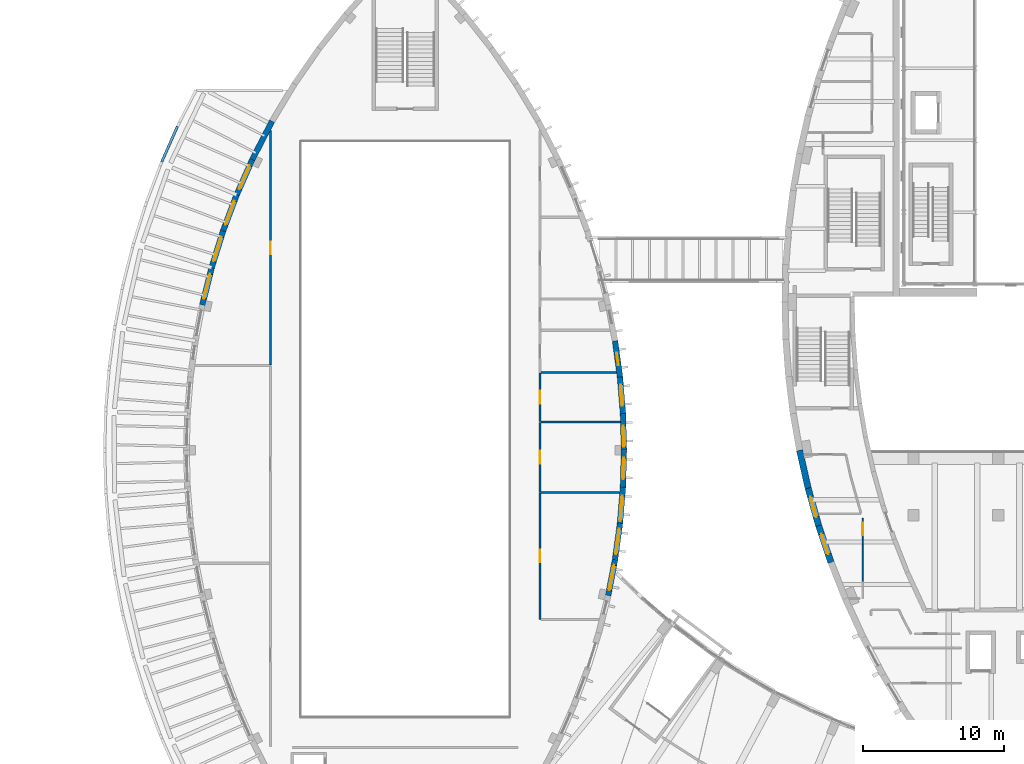
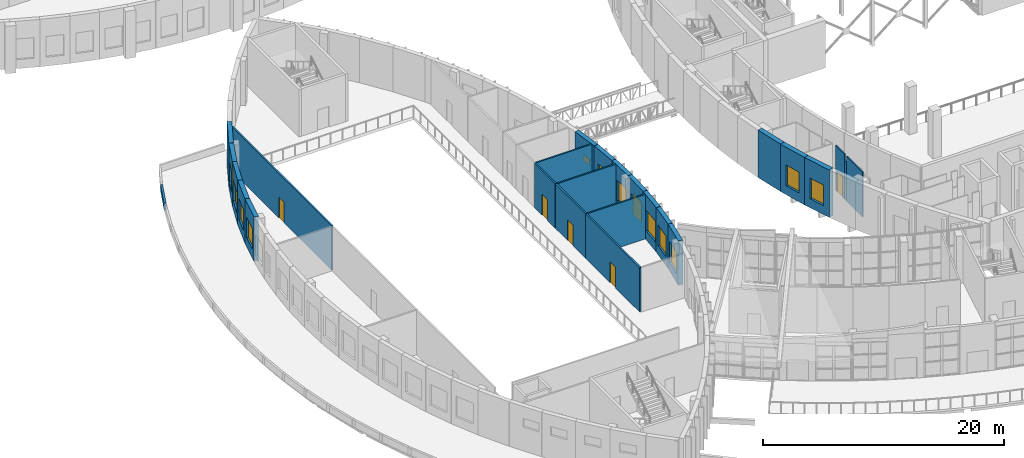
# One storey, part 55 of 93: 26 walls, 13 windows, 5 doors, 18 openings.
"""IFC4 building model written with IfcOpenShell, lengths in metres."""

from ifc_helpers import new_model, si_unit, direction, frame, frame_2d, origin, place, context, subcontext, project, spatial, rectangle, extrude, material, layer, layer_set, type_object, element, fill, save


model = new_model("IFC4")

# Units and contexts
model_context = context("Model", 3, precision=1e-05, world=origin(), true_north=direction((0.0, 1.0)))
body_context = subcontext(model_context, "Body", "Model", "MODEL_VIEW")
ifc_project = project(units=[si_unit("LENGTHUNIT", "METRE"), si_unit("AREAUNIT", "SQUARE_METRE"), si_unit("VOLUMEUNIT", "CUBIC_METRE"), si_unit("PLANEANGLEUNIT", "RADIAN"), si_unit("MASSUNIT", "GRAM", prefix="KILO")], contexts=[model_context])

# Site, building, storey
site_placement = place(None, origin())
site = spatial("IfcSite", under=ifc_project, at=site_placement, CompositionType="ELEMENT")
building_placement = place(site_placement, origin())
building = spatial("IfcBuilding", under=site, at=building_placement, Name="Tide Square Theatres", CompositionType="ELEMENT")
storey_placement = place(building_placement, frame((0.0, 0.0, 5.39990234375)))
storey = spatial("IfcBuildingStorey", under=building, at=storey_placement, Name="L01", CompositionType="ELEMENT", Elevation=5.39990234375)

# Wall, opening, door
ifc_material_1 = material(Name="Gypsum board on steel studs", Category="steel")
ifc_layer_1 = layer(ifc_material_1, 0.10009765625)
ifc_layer_set_1 = layer_set([ifc_layer_1], Name="Gypsum board on steel studs")
wall_type_1 = type_object("IfcWallType", Name="Partition 100 thick", PredefinedType="PARTITIONING", material=ifc_layer_set_1)
wall_1_placement = place(storey_placement, frame((68.39990234375, 39.667724609375, 0.0), z_axis=(0.0, 0.0, 1.0), x_axis=(0.0, -1.0, 0.0)))
wall_1 = element("IfcWall", 1, at=wall_1_placement, inside=storey, type_object=wall_type_1, Name="Partition", PredefinedType="PARTITIONING", context=body_context, shape_type="SweptSolid", body=[
    extrude(rectangle(XDim=1.48779296875, YDim=0.10009765625, at=frame_2d((0.743896484375, 0.0))), origin(), (0.0, 0.0, 1.0), 4.550048828125),
])
opening_1_placement = place(wall_1_placement, frame((0.2939453125, 0.0, 0.0)))
opening_1 = element("IfcOpeningElement", 2, at=opening_1_placement, cuts=wall_1, Name="Opening M01-12", PredefinedType="OPENING", context=body_context, shape_type="SweptSolid", body=[
    extrude(rectangle(XDim=0.89990234375, YDim=2.10009765625, at=frame_2d((0.449951171875, 1.050048828125))), frame((0.0, 0.06005859375, 0.0), z_axis=(0.0, -1.0, 0.0), x_axis=(1.0, 0.0, 0.0)), (0.0, 0.0, 1.0), 0.1201171875),
])
ifc_material_2 = material(Name="Hardwood timber", Category="wood")
door_type = type_object("IfcDoorType", Name="Door 900 x 2100 single leaf", OperationType="NOTDEFINED", PredefinedType="DOOR", material=ifc_material_2)
door_1_placement = place(opening_1_placement, frame((0.89990234375, 0.0, 0.0), z_axis=(0.0, 0.0, 1.0), x_axis=(-1.0, 0.0, 0.0)))
door_1 = element("IfcDoor", 3, at=door_1_placement, inside=storey, type_object=door_type, Name="Musicians' Room 01 door", OperationType="SINGLE_SWING_RIGHT", OverallHeight=2.10009765625, OverallWidth=0.89990234375, PredefinedType="DOOR", context=body_context, shape_type="SweptSolid", body=[
    extrude(rectangle(XDim=0.89990234375, YDim=2.10009765625, at=frame_2d((0.449951171875, 1.050048828125))), frame((0.0, 0.02490234375, 0.0), z_axis=(0.0, -1.0, 0.0), x_axis=(1.0, 0.0, 0.0)), (0.0, 0.0, 1.0), 0.050048828125),
])
fill(opening_1, door_1)

# Walls
wall_2_placement = place(storey_placement, frame((68.39990234375, 38.179931640625, 0.0), z_axis=(0.0, 0.0, 1.0), x_axis=(0.0, -1.0, 0.0)))
element("IfcWall", 4, at=wall_2_placement, inside=storey, type_object=wall_type_1, Name="Partition", PredefinedType="PARTITIONING", context=body_context, shape_type="SweptSolid", body=[
    extrude(rectangle(XDim=0.35986328125, YDim=0.10009765625, at=frame_2d((0.179931640625, 0.0))), origin(), (0.0, 0.0, 1.0), 3.920166015625),
])
wall_3_placement = place(storey_placement, frame((68.39990234375, 37.820068359375, 0.0), z_axis=(0.0, 0.0, 1.0), x_axis=(0.0, -1.0, 0.0)))
element("IfcWall", 5, at=wall_3_placement, inside=storey, type_object=wall_type_1, Name="Partition", PredefinedType="PARTITIONING", context=body_context, shape_type="SweptSolid", body=[
    extrude(rectangle(XDim=2.64013671875, YDim=0.10009765625, at=frame_2d((1.320068359375, 0.0))), origin(), (0.0, 0.0, 1.0), 4.550048828125),
])

# Wall, opening, door
ifc_material_3 = material(Name="Gypsum board on steel studs", Category="steel")
ifc_layer_2 = layer(ifc_material_3, 0.14990234375)
ifc_layer_set_2 = layer_set([ifc_layer_2], Name="Gypsum board on steel studs")
wall_type_2 = type_object("IfcWallType", Name="Partition 150 thick", PredefinedType="PARTITIONING", material=ifc_layer_set_2)
wall_4_placement = place(storey_placement, frame((26.449951171875, 50.52001953125, 0.0), z_axis=(0.0, 0.0, 1.0), x_axis=(0.0, 1.0, 0.0)))
wall_4 = element("IfcWall", 6, at=wall_4_placement, inside=storey, type_object=wall_type_2, Name="Studio Theatre partition", PredefinedType="PARTITIONING", context=body_context, shape_type="SweptSolid", body=[
    extrude(rectangle(XDim=16.61181640625, YDim=0.14990234375, at=frame_2d((8.305908203125, 0.0))), origin(), (0.0, 0.0, 1.0), 4.5),
])
opening_2_placement = place(wall_4_placement, frame((7.85595703125, 0.0, 0.0)))
opening_2 = element("IfcOpeningElement", 7, at=opening_2_placement, cuts=wall_4, Name="Opening S01-05", PredefinedType="OPENING", context=body_context, shape_type="SweptSolid", body=[
    extrude(rectangle(XDim=0.89990234375, YDim=2.10009765625, at=frame_2d((0.449951171875, 1.050048828125))), frame((0.0, 0.0849609375, 0.0), z_axis=(0.0, -1.0, 0.0), x_axis=(1.0, 0.0, 0.0)), (0.0, 0.0, 1.0), 0.169921875),
])
door_2_placement = place(opening_2_placement, origin())
door_2 = element("IfcDoor", 8, at=door_2_placement, inside=storey, type_object=door_type, Name="Learning Studio 01 door", OperationType="SINGLE_SWING_RIGHT", OverallHeight=2.10009765625, OverallWidth=0.89990234375, PredefinedType="DOOR", context=body_context, shape_type="SweptSolid", body=[
    extrude(rectangle(XDim=0.89990234375, YDim=2.10009765625, at=frame_2d((0.449951171875, 1.050048828125))), frame((0.0, 0.02490234375, 0.0), z_axis=(0.0, -1.0, 0.0), x_axis=(1.0, 0.0, 0.0)), (0.0, 0.0, 1.0), 0.050048828125),
])
fill(opening_2, door_2)

wall_5_placement = place(storey_placement, frame((45.550048828125, 41.47998046875, 0.0), z_axis=(0.0, 0.0, 1.0), x_axis=(0.0, -1.0, 0.0)))
wall_5 = element("IfcWall", 9, at=wall_5_placement, inside=storey, type_object=wall_type_2, Name="Studio Theatre partition", PredefinedType="PARTITIONING", context=body_context, shape_type="SweptSolid", body=[
    extrude(rectangle(XDim=8.9599609375, YDim=0.14990234375, at=frame_2d((4.47998046875, 0.0))), origin(), (0.0, 0.0, 1.0), 4.5),
])
opening_3_placement = place(wall_5_placement, frame((4.030029296875, 0.0, 0.0)))
opening_3 = element("IfcOpeningElement", 10, at=opening_3_placement, cuts=wall_5, Name="Opening S01-06", PredefinedType="OPENING", context=body_context, shape_type="SweptSolid", body=[
    extrude(rectangle(XDim=0.89990234375, YDim=2.10009765625, at=frame_2d((0.449951171875, 1.050048828125))), frame((0.0, 0.0849609375, 0.0), z_axis=(0.0, -1.0, 0.0), x_axis=(1.0, 0.0, 0.0)), (0.0, 0.0, 1.0), 0.169921875),
])
door_3_placement = place(opening_3_placement, origin())
door_3 = element("IfcDoor", 11, at=door_3_placement, inside=storey, type_object=door_type, Name="Learning Studio 02 door", OperationType="SINGLE_SWING_RIGHT", OverallHeight=2.10009765625, OverallWidth=0.89990234375, PredefinedType="DOOR", context=body_context, shape_type="SweptSolid", body=[
    extrude(rectangle(XDim=0.89990234375, YDim=2.10009765625, at=frame_2d((0.449951171875, 1.050048828125))), frame((0.0, 0.02490234375, 0.0), z_axis=(0.0, -1.0, 0.0), x_axis=(1.0, 0.0, 0.0)), (0.0, 0.0, 1.0), 0.050048828125),
])
fill(opening_3, door_3)

wall_6_placement = place(storey_placement, frame((45.550048828125, 46.47998046875, 0.0), z_axis=(0.0, 0.0, 1.0), x_axis=(0.0, -1.0, 0.0)))
wall_6 = element("IfcWall", 12, at=wall_6_placement, inside=storey, type_object=wall_type_2, Name="Studio Theatre partition", PredefinedType="PARTITIONING", context=body_context, shape_type="SweptSolid", body=[
    extrude(rectangle(XDim=4.9599609375, YDim=0.14990234375, at=frame_2d((2.47998046875, 0.0))), origin(), (0.0, 0.0, 1.0), 4.5),
])
opening_4_placement = place(wall_6_placement, frame((2.030029296875, 0.0, 0.0)))
opening_4 = element("IfcOpeningElement", 13, at=opening_4_placement, cuts=wall_6, Name="Opening S01-07", PredefinedType="OPENING", context=body_context, shape_type="SweptSolid", body=[
    extrude(rectangle(XDim=0.89990234375, YDim=2.10009765625, at=frame_2d((0.449951171875, 1.050048828125))), frame((0.0, 0.0849609375, 0.0), z_axis=(0.0, -1.0, 0.0), x_axis=(1.0, 0.0, 0.0)), (0.0, 0.0, 1.0), 0.169921875),
])
door_4_placement = place(opening_4_placement, origin())
door_4 = element("IfcDoor", 14, at=door_4_placement, inside=storey, type_object=door_type, Name="Production Office door", OperationType="SINGLE_SWING_RIGHT", OverallHeight=2.10009765625, OverallWidth=0.89990234375, PredefinedType="DOOR", context=body_context, shape_type="SweptSolid", body=[
    extrude(rectangle(XDim=0.89990234375, YDim=2.10009765625, at=frame_2d((0.449951171875, 1.050048828125))), frame((0.0, 0.02490234375, 0.0), z_axis=(0.0, -1.0, 0.0), x_axis=(1.0, 0.0, 0.0)), (0.0, 0.0, 1.0), 0.050048828125),
])
fill(opening_4, door_4)

wall_7_placement = place(storey_placement, frame((45.550048828125, 49.97998046875, 0.0), z_axis=(0.0, 0.0, 1.0), x_axis=(0.0, -1.0, 0.0)))
wall_7 = element("IfcWall", 15, at=wall_7_placement, inside=storey, type_object=wall_type_2, Name="Studio Theatre partition", PredefinedType="PARTITIONING", context=body_context, shape_type="SweptSolid", body=[
    extrude(rectangle(XDim=3.4599609375, YDim=0.14990234375, at=frame_2d((1.72998046875, 0.0))), origin(), (0.0, 0.0, 1.0), 4.5),
])
opening_5_placement = place(wall_7_placement, frame((1.280029296875, 0.0, 0.0)))
opening_5 = element("IfcOpeningElement", 16, at=opening_5_placement, cuts=wall_7, Name="Opening S01-08", PredefinedType="OPENING", context=body_context, shape_type="SweptSolid", body=[
    extrude(rectangle(XDim=0.89990234375, YDim=2.10009765625, at=frame_2d((0.449951171875, 1.050048828125))), frame((0.0, 0.0849609375, 0.0), z_axis=(0.0, -1.0, 0.0), x_axis=(1.0, 0.0, 0.0)), (0.0, 0.0, 1.0), 0.169921875),
])
door_5_placement = place(opening_5_placement, origin())
door_5 = element("IfcDoor", 17, at=door_5_placement, inside=storey, type_object=door_type, Name="Education Office door", OperationType="SINGLE_SWING_RIGHT", OverallHeight=2.10009765625, OverallWidth=0.89990234375, PredefinedType="DOOR", context=body_context, shape_type="SweptSolid", body=[
    extrude(rectangle(XDim=0.89990234375, YDim=2.10009765625, at=frame_2d((0.449951171875, 1.050048828125))), frame((0.0, 0.02490234375, 0.0), z_axis=(0.0, -1.0, 0.0), x_axis=(1.0, 0.0, 0.0)), (0.0, 0.0, 1.0), 0.050048828125),
])
fill(opening_5, door_5)

# Walls
wall_8_placement = place(storey_placement, frame((45.610107421875, 41.5, 0.0), z_axis=(0.0, 0.0, 1.0), x_axis=(1.0, 0.0, 0.0)))
element("IfcWall", 18, at=wall_8_placement, inside=storey, type_object=wall_type_2, Name="Studio Theatre partition", PredefinedType="PARTITIONING", context=body_context, shape_type="SweptSolid", body=[
    extrude(rectangle(XDim=5.578857421875, YDim=0.14990234375, at=frame_2d((2.78955078125, 0.0))), origin(), (0.0, 0.0, 1.0), 4.5),
])
wall_9_placement = place(storey_placement, frame((45.610107421875, 46.5, 0.0), z_axis=(0.0, 0.0, 1.0), x_axis=(1.0, 0.0, 0.0)))
element("IfcWall", 19, at=wall_9_placement, inside=storey, type_object=wall_type_2, Name="Studio Theatre partition", PredefinedType="PARTITIONING", context=body_context, shape_type="SweptSolid", body=[
    extrude(rectangle(XDim=5.62890625, YDim=0.14990234375, at=frame_2d((2.814453125, 0.0))), origin(), (0.0, 0.0, 1.0), 4.5),
])
wall_10_placement = place(storey_placement, frame((45.610107421875, 50.0, 0.0), z_axis=(0.0, 0.0, 1.0), x_axis=(1.0, 0.0, 0.0)))
element("IfcWall", 20, at=wall_10_placement, inside=storey, type_object=wall_type_2, Name="Studio Theatre partition", PredefinedType="PARTITIONING", context=body_context, shape_type="SweptSolid", body=[
    extrude(rectangle(XDim=5.356201171875, YDim=0.14990234375, at=frame_2d((2.67822265625, 0.0))), origin(), (0.0, 0.0, 1.0), 4.5),
])

# Wall, opening, window
ifc_material_4 = material(Name="Concrete C40", Category="concrete")
ifc_layer_3 = layer(ifc_material_4, 0.39990234375)
ifc_layer_set_3 = layer_set([ifc_layer_3], Name="Concrete C40")
wall_type_3 = type_object("IfcWallType", Name="RC curved wall 400 thick", PredefinedType="SOLIDWALL", material=ifc_layer_set_3)
wall_11_placement = place(storey_placement, frame((50.373046875, 34.21533203125, 0.0), z_axis=(0.0, 0.0, 1.0), x_axis=(0.188763210152, 0.982022632373, 0.0)))
wall_11 = element("IfcWall", 21, at=wall_11_placement, inside=storey, type_object=wall_type_3, Name="Studio Theatre perimeter wall", PredefinedType="SOLIDWALL", context=body_context, shape_type="SweptSolid", body=[
    extrude(rectangle(XDim=2.58154296875, YDim=0.39990234375, at=frame_2d((1.290771484375, 0.0))), origin(), (0.0, 0.0, 1.0), 4.5),
])
opening_6_placement = place(wall_11_placement, frame((0.390625, 0.0, 0.89990234375)))
opening_6 = element("IfcOpeningElement", 22, at=opening_6_placement, cuts=wall_11, Name="Opening WN-14", PredefinedType="OPENING", context=body_context, shape_type="SweptSolid", body=[
    extrude(rectangle(XDim=1.800048828125, YDim=2.10009765625, at=frame_2d((0.89990234375, 1.050048828125))), frame((0.0, 0.2099609375, 0.0), z_axis=(0.0, -1.0, 0.0), x_axis=(1.0, 0.0, 0.0)), (0.0, 0.0, 1.0), 0.419921875),
])
ifc_material_5 = material(Name="Aluminium with laminated glass", Category="aluminium")
window_type_1 = type_object("IfcWindowType", Name="Window 1800 x 2100", PartitioningType="DOUBLE_PANEL_VERTICAL", PredefinedType="WINDOW", material=ifc_material_5)
window_1_placement = place(opening_6_placement, origin())
window_1 = element("IfcWindow", 23, at=window_1_placement, inside=storey, type_object=window_type_1, Name="Studio Theatre Learning Studio 02 window", OverallHeight=2.10009765625, OverallWidth=1.800048828125, PartitioningType="SINGLE_PANEL", PredefinedType="WINDOW", context=body_context, shape_type="SweptSolid", body=[
    extrude(rectangle(XDim=1.800048828125, YDim=2.10009765625, at=frame_2d((0.89990234375, 1.050048828125))), frame((0.0, 0.030029296875, 0.0), z_axis=(0.0, -1.0, 0.0), x_axis=(1.0, 0.0, 0.0)), (0.0, 0.0, 1.0), 0.06005859375),
])
fill(opening_6, window_1)

wall_12_placement = place(storey_placement, frame((50.862060546875, 36.760986328125, 0.0), z_axis=(0.0, 0.0, 1.0), x_axis=(0.13522291824, 0.990815200924, 0.0)))
wall_12 = element("IfcWall", 24, at=wall_12_placement, inside=storey, type_object=wall_type_3, Name="Studio Theatre perimeter wall", PredefinedType="SOLIDWALL", context=body_context, shape_type="SweptSolid", body=[
    extrude(rectangle(XDim=2.581787109375, YDim=0.39990234375, at=frame_2d((1.291015625, 0.0))), origin(), (0.0, 0.0, 1.0), 4.5),
])
opening_7_placement = place(wall_12_placement, frame((0.390869140625, 0.0, 0.89990234375)))
opening_7 = element("IfcOpeningElement", 25, at=opening_7_placement, cuts=wall_12, Name="Opening WN-14", PredefinedType="OPENING", context=body_context, shape_type="SweptSolid", body=[
    extrude(rectangle(XDim=1.800048828125, YDim=2.10009765625, at=frame_2d((0.89990234375, 1.050048828125))), frame((0.0, 0.2099609375, 0.0), z_axis=(0.0, -1.0, 0.0), x_axis=(1.0, 0.0, 0.0)), (0.0, 0.0, 1.0), 0.419921875),
])
window_2_placement = place(opening_7_placement, origin())
window_2 = element("IfcWindow", 26, at=window_2_placement, inside=storey, type_object=window_type_1, Name="Studio Theatre Learning Studio 02 window", OverallHeight=2.10009765625, OverallWidth=1.800048828125, PartitioningType="SINGLE_PANEL", PredefinedType="WINDOW", context=body_context, shape_type="SweptSolid", body=[
    extrude(rectangle(XDim=1.800048828125, YDim=2.10009765625, at=frame_2d((0.89990234375, 1.050048828125))), frame((0.0, 0.030029296875, 0.0), z_axis=(0.0, -1.0, 0.0), x_axis=(1.0, 0.0, 0.0)), (0.0, 0.0, 1.0), 0.06005859375),
])
fill(opening_7, window_2)

wall_13_placement = place(storey_placement, frame((51.212158203125, 39.329833984375, 0.0), z_axis=(0.0, 0.0, 1.0), x_axis=(0.081323667998, 0.996687744995, 0.0)))
wall_13 = element("IfcWall", 27, at=wall_13_placement, inside=storey, type_object=wall_type_3, Name="Studio Theatre perimeter wall", PredefinedType="SOLIDWALL", context=body_context, shape_type="SweptSolid", body=[
    extrude(rectangle(XDim=2.581787109375, YDim=0.39990234375, at=frame_2d((1.291015625, 0.0))), origin(), (0.0, 0.0, 1.0), 4.5),
])
opening_8_placement = place(wall_13_placement, frame((0.155517578125, 0.0, 0.89990234375)))
opening_8 = element("IfcOpeningElement", 28, at=opening_8_placement, cuts=wall_13, Name="Opening WN-14", PredefinedType="OPENING", context=body_context, shape_type="SweptSolid", body=[
    extrude(rectangle(XDim=1.800048828125, YDim=2.10009765625, at=frame_2d((0.89990234375, 1.050048828125))), frame((0.0, 0.2099609375, 0.0), z_axis=(0.0, -1.0, 0.0), x_axis=(1.0, 0.0, 0.0)), (0.0, 0.0, 1.0), 0.419921875),
])
window_3_placement = place(opening_8_placement, origin())
window_3 = element("IfcWindow", 29, at=window_3_placement, inside=storey, type_object=window_type_1, Name="Studio Theatre Learning Studio 02 window", OverallHeight=2.10009765625, OverallWidth=1.800048828125, PartitioningType="SINGLE_PANEL", PredefinedType="WINDOW", context=body_context, shape_type="SweptSolid", body=[
    extrude(rectangle(XDim=1.800048828125, YDim=2.10009765625, at=frame_2d((0.89990234375, 1.050048828125))), frame((0.0, 0.030029296875, 0.0), z_axis=(0.0, -1.0, 0.0), x_axis=(1.0, 0.0, 0.0)), (0.0, 0.0, 1.0), 0.06005859375),
])
fill(opening_8, window_3)

wall_14_placement = place(storey_placement, frame((51.422607421875, 41.913818359375, 0.0), z_axis=(0.0, 0.0, 1.0), x_axis=(0.027139748682, 0.99963164918, 0.0)))
wall_14 = element("IfcWall", 30, at=wall_14_placement, inside=storey, type_object=wall_type_3, Name="Studio Theatre perimeter wall", PredefinedType="SOLIDWALL", context=body_context, shape_type="SweptSolid", body=[
    extrude(rectangle(XDim=2.581787109375, YDim=0.39990234375, at=frame_2d((1.291015625, 0.0))), origin(), (0.0, 0.0, 1.0), 4.5),
])
opening_9_placement = place(wall_14_placement, frame((0.541015625, 0.0, 0.89990234375)))
opening_9 = element("IfcOpeningElement", 31, at=opening_9_placement, cuts=wall_14, Name="Opening WN-01", PredefinedType="OPENING", context=body_context, shape_type="SweptSolid", body=[
    extrude(rectangle(XDim=1.5, YDim=2.10009765625, at=frame_2d((0.75, 1.050048828125))), frame((0.0, 0.2099609375, 0.0), z_axis=(0.0, -1.0, 0.0), x_axis=(1.0, 0.0, 0.0)), (0.0, 0.0, 1.0), 0.419921875),
])
ifc_material_6 = material(Name="Aluminium with laminated glass", Category="aluminium")
window_type_2 = type_object("IfcWindowType", Name="Window 1500 x 2100", PartitioningType="SINGLE_PANEL", PredefinedType="WINDOW", material=ifc_material_6)
window_4_placement = place(opening_9_placement, origin())
window_4 = element("IfcWindow", 32, at=window_4_placement, inside=storey, type_object=window_type_2, Name="Studio Theatre Production Office window", OverallHeight=2.10009765625, OverallWidth=1.5, PartitioningType="SINGLE_PANEL", PredefinedType="WINDOW", context=body_context, shape_type="SweptSolid", body=[
    extrude(rectangle(XDim=1.5, YDim=2.10009765625, at=frame_2d((0.75, 1.050048828125))), frame((0.0, 0.030029296875, 0.0), z_axis=(0.0, -1.0, 0.0), x_axis=(1.0, 0.0, 0.0)), (0.0, 0.0, 1.0), 0.06005859375),
])
fill(opening_9, window_4)

wall_15_placement = place(storey_placement, frame((51.49267578125, 44.50537109375, 0.0), z_axis=(0.0, 0.0, 1.0), x_axis=(-0.027139748682, 0.99963164918, 0.0)))
wall_15 = element("IfcWall", 33, at=wall_15_placement, inside=storey, type_object=wall_type_3, Name="Studio Theatre perimeter wall", PredefinedType="SOLIDWALL", context=body_context, shape_type="SweptSolid", body=[
    extrude(rectangle(XDim=2.581787109375, YDim=0.39990234375, at=frame_2d((1.291015625, 0.0))), origin(), (0.0, 0.0, 1.0), 4.5),
])
opening_10_placement = place(wall_15_placement, frame((0.225341796875, 0.0, 0.89990234375)))
opening_10 = element("IfcOpeningElement", 34, at=opening_10_placement, cuts=wall_15, Name="Opening WN-01", PredefinedType="OPENING", context=body_context, shape_type="SweptSolid", body=[
    extrude(rectangle(XDim=1.5, YDim=2.10009765625, at=frame_2d((0.75, 1.050048828125))), frame((0.0, 0.2099609375, 0.0), z_axis=(0.0, -1.0, 0.0), x_axis=(1.0, 0.0, 0.0)), (0.0, 0.0, 1.0), 0.419921875),
])
window_5_placement = place(opening_10_placement, origin())
window_5 = element("IfcWindow", 35, at=window_5_placement, inside=storey, type_object=window_type_2, Name="Studio Theatre Production Office window", OverallHeight=2.10009765625, OverallWidth=1.5, PartitioningType="SINGLE_PANEL", PredefinedType="WINDOW", context=body_context, shape_type="SweptSolid", body=[
    extrude(rectangle(XDim=1.5, YDim=2.10009765625, at=frame_2d((0.75, 1.050048828125))), frame((0.0, 0.030029296875, 0.0), z_axis=(0.0, -1.0, 0.0), x_axis=(1.0, 0.0, 0.0)), (0.0, 0.0, 1.0), 0.06005859375),
])
fill(opening_10, window_5)

wall_16_placement = place(storey_placement, frame((51.422119140625, 47.096923828125, 0.0), z_axis=(0.0, 0.0, 1.0), x_axis=(-0.081323667998, 0.996687744995, 0.0)))
wall_16 = element("IfcWall", 36, at=wall_16_placement, inside=storey, type_object=wall_type_3, Name="Studio Theatre perimeter wall", PredefinedType="SOLIDWALL", context=body_context, shape_type="SweptSolid", body=[
    extrude(rectangle(XDim=2.581787109375, YDim=0.39990234375, at=frame_2d((1.291015625, 0.0))), origin(), (0.0, 0.0, 1.0), 4.5),
])
opening_11_placement = place(wall_16_placement, frame((0.541015625, 0.0, 0.89990234375)))
opening_11 = element("IfcOpeningElement", 37, at=opening_11_placement, cuts=wall_16, Name="Opening WN-01", PredefinedType="OPENING", context=body_context, shape_type="SweptSolid", body=[
    extrude(rectangle(XDim=1.5, YDim=2.10009765625, at=frame_2d((0.75, 1.050048828125))), frame((0.0, 0.2099609375, 0.0), z_axis=(0.0, -1.0, 0.0), x_axis=(1.0, 0.0, 0.0)), (0.0, 0.0, 1.0), 0.419921875),
])
window_6_placement = place(opening_11_placement, origin())
window_6 = element("IfcWindow", 38, at=window_6_placement, inside=storey, type_object=window_type_2, Name="Studio Theatre Education Office window", OverallHeight=2.10009765625, OverallWidth=1.5, PartitioningType="SINGLE_PANEL", PredefinedType="WINDOW", context=body_context, shape_type="SweptSolid", body=[
    extrude(rectangle(XDim=1.5, YDim=2.10009765625, at=frame_2d((0.75, 1.050048828125))), frame((0.0, 0.030029296875, 0.0), z_axis=(0.0, -1.0, 0.0), x_axis=(1.0, 0.0, 0.0)), (0.0, 0.0, 1.0), 0.06005859375),
])
fill(opening_11, window_6)

wall_17_placement = place(storey_placement, frame((51.211181640625, 49.680908203125, 0.0), z_axis=(0.0, 0.0, 1.0), x_axis=(-0.13522291824, 0.990815200924, 0.0)))
wall_17 = element("IfcWall", 39, at=wall_17_placement, inside=storey, type_object=wall_type_3, Name="Studio Theatre perimeter wall", PredefinedType="SOLIDWALL", context=body_context, shape_type="SweptSolid", body=[
    extrude(rectangle(XDim=2.581787109375, YDim=0.39990234375, at=frame_2d((1.291015625, 0.0))), origin(), (0.0, 0.0, 1.0), 4.5),
])
opening_12_placement = place(wall_17_placement, frame((0.8408203125, 0.0, 2.0)))
opening_12 = element("IfcOpeningElement", 40, at=opening_12_placement, cuts=wall_17, Name="Opening WN-12", PredefinedType="OPENING", context=body_context, shape_type="SweptSolid", body=[
    extrude(rectangle(XDim=0.89990234375, YDim=0.60009765625, at=frame_2d((0.449951171875, 0.300048828125))), frame((0.0, 0.2099609375, 0.0), z_axis=(0.0, -1.0, 0.0), x_axis=(1.0, 0.0, 0.0)), (0.0, 0.0, 1.0), 0.419921875),
])
ifc_material_7 = material(Name="Aluminium with laminated glass", Category="aluminium")
window_type_3 = type_object("IfcWindowType", Name="Window 900 x 600", PartitioningType="SINGLE_PANEL", PredefinedType="WINDOW", material=ifc_material_7)
window_7_placement = place(opening_12_placement, origin())
window_7 = element("IfcWindow", 41, at=window_7_placement, inside=storey, type_object=window_type_3, Name="Studio Theatre Women's WC window", OverallHeight=0.60009765625, OverallWidth=0.89990234375, PartitioningType="SINGLE_PANEL", PredefinedType="WINDOW", context=body_context, shape_type="SweptSolid", body=[
    extrude(rectangle(XDim=0.89990234375, YDim=0.60009765625, at=frame_2d((0.449951171875, 0.300048828125))), frame((0.0, 0.030029296875, 0.0), z_axis=(0.0, -1.0, 0.0), x_axis=(1.0, 0.0, 0.0)), (0.0, 0.0, 1.0), 0.06005859375),
])
fill(opening_12, window_7)

# Wall
wall_18_placement = place(storey_placement, frame((26.572021484375, 67.802490234375, 0.0), z_axis=(0.0, 0.0, 1.0), x_axis=(-0.45930565039, -0.888278289457, 0.0)))
element("IfcWall", 42, at=wall_18_placement, inside=storey, type_object=wall_type_3, Name="Studio Theatre perimeter wall", PredefinedType="SOLIDWALL", context=body_context, shape_type="SweptSolid", body=[
    extrude(rectangle(XDim=3.05859375, YDim=0.39990234375, at=frame_2d((1.529296875, 0.0))), origin(), (0.0, 0.0, 1.0), 4.5),
])

# Wall, opening, window
wall_19_placement = place(storey_placement, frame((25.162109375, 65.07470703125, 0.0), z_axis=(0.0, 0.0, 1.0), x_axis=(-0.404652153757, -0.914470685402, 0.0)))
wall_19 = element("IfcWall", 43, at=wall_19_placement, inside=storey, type_object=wall_type_3, Name="Studio Theatre perimeter wall", PredefinedType="SOLIDWALL", context=body_context, shape_type="SweptSolid", body=[
    extrude(rectangle(XDim=2.7138671875, YDim=0.39990234375, at=frame_2d((1.35693359375, 0.0))), origin(), (0.0, 0.0, 1.0), 4.5),
])
opening_13_placement = place(wall_19_placement, frame((0.456787109375, 0.0, 0.89990234375)))
opening_13 = element("IfcOpeningElement", 44, at=opening_13_placement, cuts=wall_19, Name="Opening WN-14", PredefinedType="OPENING", context=body_context, shape_type="SweptSolid", body=[
    extrude(rectangle(XDim=1.800048828125, YDim=2.10009765625, at=frame_2d((0.89990234375, 1.050048828125))), frame((0.0, 0.2099609375, 0.0), z_axis=(0.0, -1.0, 0.0), x_axis=(1.0, 0.0, 0.0)), (0.0, 0.0, 1.0), 0.419921875),
])
window_8_placement = place(opening_13_placement, origin())
window_8 = element("IfcWindow", 45, at=window_8_placement, inside=storey, type_object=window_type_1, Name="Studio Theatre Learning Studio 01 window", OverallHeight=2.10009765625, OverallWidth=1.800048828125, PartitioningType="SINGLE_PANEL", PredefinedType="WINDOW", context=body_context, shape_type="SweptSolid", body=[
    extrude(rectangle(XDim=1.800048828125, YDim=2.10009765625, at=frame_2d((0.89990234375, 1.050048828125))), frame((0.0, 0.030029296875, 0.0), z_axis=(0.0, -1.0, 0.0), x_axis=(1.0, 0.0, 0.0)), (0.0, 0.0, 1.0), 0.06005859375),
])
fill(opening_13, window_8)

wall_20_placement = place(storey_placement, frame((24.0595703125, 62.58251953125, 0.0), z_axis=(0.0, 0.0, 1.0), x_axis=(-0.351862601417, -0.936051659752, 0.0)))
wall_20 = element("IfcWall", 46, at=wall_20_placement, inside=storey, type_object=wall_type_3, Name="Studio Theatre perimeter wall", PredefinedType="SOLIDWALL", context=body_context, shape_type="SweptSolid", body=[
    extrude(rectangle(XDim=2.71435546875, YDim=0.39990234375, at=frame_2d((1.357177734375, 0.0))), origin(), (0.0, 0.0, 1.0), 4.5),
])
opening_14_placement = place(wall_20_placement, frame((0.457275390625, 0.0, 0.89990234375)))
opening_14 = element("IfcOpeningElement", 47, at=opening_14_placement, cuts=wall_20, Name="Opening WN-14", PredefinedType="OPENING", context=body_context, shape_type="SweptSolid", body=[
    extrude(rectangle(XDim=1.800048828125, YDim=2.10009765625, at=frame_2d((0.89990234375, 1.050048828125))), frame((0.0, 0.2099609375, 0.0), z_axis=(0.0, -1.0, 0.0), x_axis=(1.0, 0.0, 0.0)), (0.0, 0.0, 1.0), 0.419921875),
])
window_9_placement = place(opening_14_placement, origin())
window_9 = element("IfcWindow", 48, at=window_9_placement, inside=storey, type_object=window_type_1, Name="Studio Theatre Learning Studio 01 window", OverallHeight=2.10009765625, OverallWidth=1.800048828125, PartitioningType="SINGLE_PANEL", PredefinedType="WINDOW", context=body_context, shape_type="SweptSolid", body=[
    extrude(rectangle(XDim=1.800048828125, YDim=2.10009765625, at=frame_2d((0.89990234375, 1.050048828125))), frame((0.0, 0.030029296875, 0.0), z_axis=(0.0, -1.0, 0.0), x_axis=(1.0, 0.0, 0.0)), (0.0, 0.0, 1.0), 0.06005859375),
])
fill(opening_14, window_9)

wall_21_placement = place(storey_placement, frame((23.100830078125, 60.031005859375, 0.0), z_axis=(0.0, 0.0, 1.0), x_axis=(-0.29795748067, -0.954579142718, 0.0)))
wall_21 = element("IfcWall", 49, at=wall_21_placement, inside=storey, type_object=wall_type_3, Name="Studio Theatre perimeter wall", PredefinedType="SOLIDWALL", context=body_context, shape_type="SweptSolid", body=[
    extrude(rectangle(XDim=2.714599609375, YDim=0.39990234375, at=frame_2d((1.357421875, 0.0))), origin(), (0.0, 0.0, 1.0), 4.5),
])
opening_15_placement = place(wall_21_placement, frame((0.457275390625, 0.0, 0.89990234375)))
opening_15 = element("IfcOpeningElement", 50, at=opening_15_placement, cuts=wall_21, Name="Opening WN-14", PredefinedType="OPENING", context=body_context, shape_type="SweptSolid", body=[
    extrude(rectangle(XDim=1.800048828125, YDim=2.10009765625, at=frame_2d((0.89990234375, 1.050048828125))), frame((0.0, 0.2099609375, 0.0), z_axis=(0.0, -1.0, 0.0), x_axis=(1.0, 0.0, 0.0)), (0.0, 0.0, 1.0), 0.419921875),
])
window_10_placement = place(opening_15_placement, origin())
window_10 = element("IfcWindow", 51, at=window_10_placement, inside=storey, type_object=window_type_1, Name="Studio Theatre Learning Studio 01 window", OverallHeight=2.10009765625, OverallWidth=1.800048828125, PartitioningType="SINGLE_PANEL", PredefinedType="WINDOW", context=body_context, shape_type="SweptSolid", body=[
    extrude(rectangle(XDim=1.800048828125, YDim=2.10009765625, at=frame_2d((0.89990234375, 1.050048828125))), frame((0.0, 0.030029296875, 0.0), z_axis=(0.0, -1.0, 0.0), x_axis=(1.0, 0.0, 0.0)), (0.0, 0.0, 1.0), 0.06005859375),
])
fill(opening_15, window_10)

wall_22_placement = place(storey_placement, frame((22.2890625, 57.4287109375, 0.0), z_axis=(0.0, 0.0, 1.0), x_axis=(-0.2430011368, -0.970026003525, 0.0)))
wall_22 = element("IfcWall", 52, at=wall_22_placement, inside=storey, type_object=wall_type_3, Name="Studio Theatre perimeter wall", PredefinedType="SOLIDWALL", context=body_context, shape_type="SweptSolid", body=[
    extrude(rectangle(XDim=2.714599609375, YDim=0.39990234375, at=frame_2d((1.357421875, 0.0))), origin(), (0.0, 0.0, 1.0), 4.5),
])
opening_16_placement = place(wall_22_placement, frame((0.45751953125, 0.0, 0.89990234375)))
opening_16 = element("IfcOpeningElement", 53, at=opening_16_placement, cuts=wall_22, Name="Opening WN-14", PredefinedType="OPENING", context=body_context, shape_type="SweptSolid", body=[
    extrude(rectangle(XDim=1.800048828125, YDim=2.10009765625, at=frame_2d((0.89990234375, 1.050048828125))), frame((0.0, 0.2099609375, 0.0), z_axis=(0.0, -1.0, 0.0), x_axis=(1.0, 0.0, 0.0)), (0.0, 0.0, 1.0), 0.419921875),
])
window_11_placement = place(opening_16_placement, origin())
window_11 = element("IfcWindow", 54, at=window_11_placement, inside=storey, type_object=window_type_1, Name="Studio Theatre Learning Studio 01 window", OverallHeight=2.10009765625, OverallWidth=1.800048828125, PartitioningType="SINGLE_PANEL", PredefinedType="WINDOW", context=body_context, shape_type="SweptSolid", body=[
    extrude(rectangle(XDim=1.800048828125, YDim=2.10009765625, at=frame_2d((0.89990234375, 1.050048828125))), frame((0.0, 0.030029296875, 0.0), z_axis=(0.0, -1.0, 0.0), x_axis=(1.0, 0.0, 0.0)), (0.0, 0.0, 1.0), 0.06005859375),
])
fill(opening_16, window_11)

# Wall
ifc_material_8 = material(Name="Concrete C40", Category="concrete")
ifc_layer_4 = layer(ifc_material_8, 0.449951171875)
ifc_layer_set_4 = layer_set([ifc_layer_4], Name="Concrete C40")
wall_type_4 = type_object("IfcWallType", Name="RC curved wall 450 thick", PredefinedType="SOLIDWALL", material=ifc_layer_set_4)
wall_23_placement = place(storey_placement, frame((63.92578125, 44.49658203125, 0.0), z_axis=(0.0, 0.0, 1.0), x_axis=(0.220347996563, -0.975421324562, 0.0)))
element("IfcWall", 55, at=wall_23_placement, inside=storey, type_object=wall_type_4, Name="Main Theatre perimeter wall", PredefinedType="SOLIDWALL", context=body_context, shape_type="SweptSolid", body=[
    extrude(rectangle(XDim=2.752197265625, YDim=0.449951171875, at=frame_2d((1.3759765625, 0.0))), origin(), (0.0, 0.0, 1.0), 4.800048828125),
])

# Wall, opening, window
wall_24_placement = place(storey_placement, frame((64.5322265625, 41.81201171875, 0.0), z_axis=(0.0, 0.0, 1.0), x_axis=(0.270008269196, -0.962858003324, 0.0)))
wall_24 = element("IfcWall", 56, at=wall_24_placement, inside=storey, type_object=wall_type_4, Name="Main Theatre perimeter wall", PredefinedType="SOLIDWALL", context=body_context, shape_type="SweptSolid", body=[
    extrude(rectangle(XDim=2.75244140625, YDim=0.449951171875, at=frame_2d((1.376220703125, 0.0))), origin(), (0.0, 0.0, 1.0), 4.800048828125),
])
opening_17_placement = place(wall_24_placement, frame((0.626220703125, 0.0, 0.89990234375)))
opening_17 = element("IfcOpeningElement", 57, at=opening_17_placement, cuts=wall_24, Name="Opening WN-01", PredefinedType="OPENING", context=body_context, shape_type="SweptSolid", body=[
    extrude(rectangle(XDim=1.5, YDim=2.10009765625, at=frame_2d((0.75, 1.050048828125))), frame((0.0, 0.23486328125, 0.0), z_axis=(0.0, -1.0, 0.0), x_axis=(1.0, 0.0, 0.0)), (0.0, 0.0, 1.0), 0.469970703125),
])
window_12_placement = place(opening_17_placement, origin())
window_12 = element("IfcWindow", 58, at=window_12_placement, inside=storey, type_object=window_type_2, Name="Main Theatre window", OverallHeight=2.10009765625, OverallWidth=1.5, PartitioningType="SINGLE_PANEL", PredefinedType="WINDOW", context=body_context, shape_type="SweptSolid", body=[
    extrude(rectangle(XDim=1.5, YDim=2.10009765625, at=frame_2d((0.75, 1.050048828125))), frame((0.0, 0.030029296875, 0.0), z_axis=(0.0, -1.0, 0.0), x_axis=(1.0, 0.0, 0.0)), (0.0, 0.0, 1.0), 0.06005859375),
])
fill(opening_17, window_12)

wall_25_placement = place(storey_placement, frame((65.275390625, 39.161865234375, 0.0), z_axis=(0.0, 0.0, 1.0), x_axis=(0.318887614688, -0.947792534893, 0.0)))
wall_25 = element("IfcWall", 59, at=wall_25_placement, inside=storey, type_object=wall_type_4, Name="Main Theatre perimeter wall", PredefinedType="SOLIDWALL", context=body_context, shape_type="SweptSolid", body=[
    extrude(rectangle(XDim=2.75244140625, YDim=0.449951171875, at=frame_2d((1.376220703125, 0.0))), origin(), (0.0, 0.0, 1.0), 4.800048828125),
])
opening_18_placement = place(wall_25_placement, frame((0.626220703125, 0.0, 0.89990234375)))
opening_18 = element("IfcOpeningElement", 60, at=opening_18_placement, cuts=wall_25, Name="Opening WN-01", PredefinedType="OPENING", context=body_context, shape_type="SweptSolid", body=[
    extrude(rectangle(XDim=1.5, YDim=2.10009765625, at=frame_2d((0.75, 1.050048828125))), frame((0.0, 0.23486328125, 0.0), z_axis=(0.0, -1.0, 0.0), x_axis=(1.0, 0.0, 0.0)), (0.0, 0.0, 1.0), 0.469970703125),
])
window_13_placement = place(opening_18_placement, origin())
window_13 = element("IfcWindow", 61, at=window_13_placement, inside=storey, type_object=window_type_2, Name="Main Theatre window", OverallHeight=2.10009765625, OverallWidth=1.5, PartitioningType="SINGLE_PANEL", PredefinedType="WINDOW", context=body_context, shape_type="SweptSolid", body=[
    extrude(rectangle(XDim=1.5, YDim=2.10009765625, at=frame_2d((0.75, 1.050048828125))), frame((0.0, 0.030029296875, 0.0), z_axis=(0.0, -1.0, 0.0), x_axis=(1.0, 0.0, 0.0)), (0.0, 0.0, 1.0), 0.06005859375),
])
fill(opening_18, window_13)

# Wall
ifc_material_9 = material(Name="Concrete C40", Category="concrete")
ifc_layer_5 = layer(ifc_material_9, 0.179931640625)
ifc_layer_set_5 = layer_set([ifc_layer_5], Name="Concrete C40")
wall_type_5 = type_object("IfcWallType", Name="RC parapet 180 thick", PredefinedType="PARAPET", material=ifc_layer_set_5)
wall_26_placement = place(storey_placement, frame((18.75537109375, 64.9296875, 0.0), z_axis=(0.0, 0.0, 1.0), x_axis=(0.404689643932, 0.914454095127, 0.0)))
element("IfcWall", 62, at=wall_26_placement, inside=storey, type_object=wall_type_5, Name="Arcade roof parapet", PredefinedType="PARAPET", context=body_context, shape_type="SweptSolid", body=[
    extrude(rectangle(XDim=2.737060546875, YDim=0.179931640625, at=frame_2d((1.36865234375, 0.0))), origin(), (0.0, 0.0, 1.0), 0.7001953125),
])

save(model, "model.ifc")
